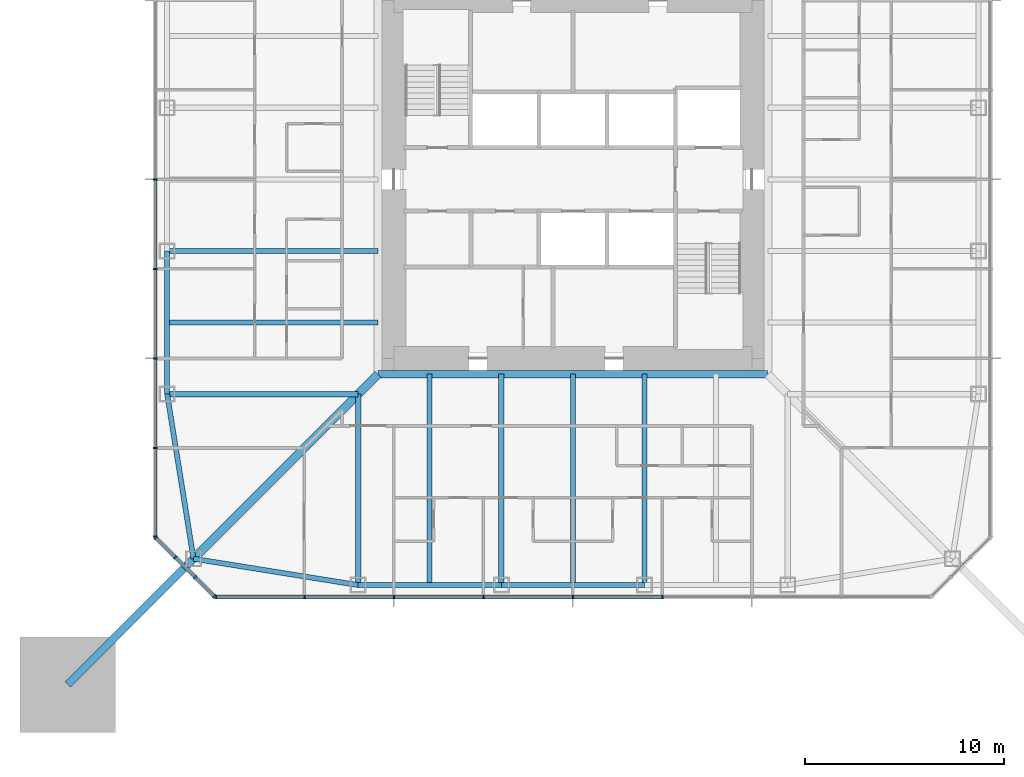
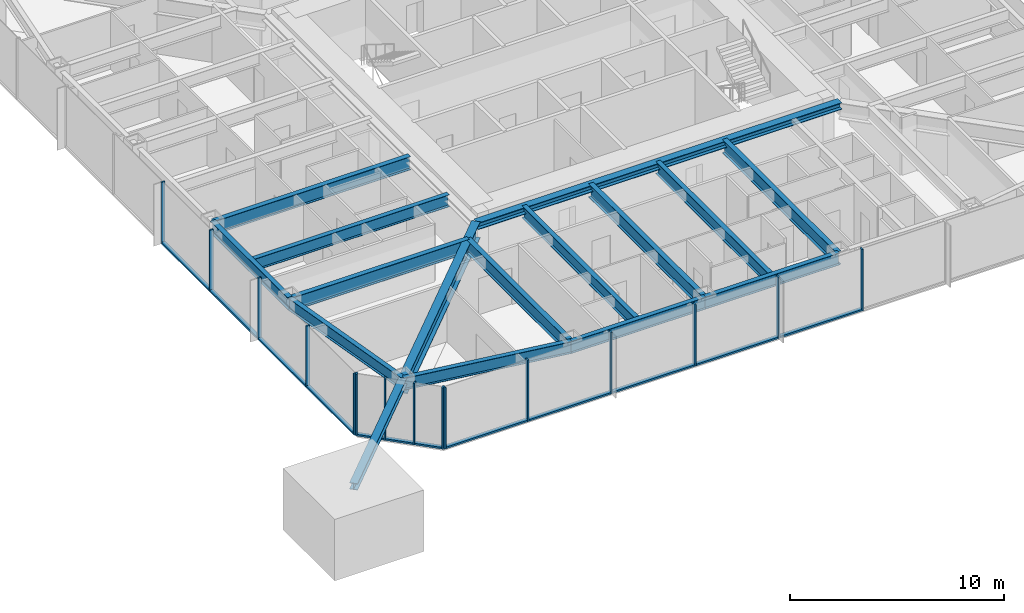
# One storey, part 3 of 25: 28 members, 15 beams, 3 elements without a shape of their own.
"""IFC4 building model written with IfcOpenShell, lengths in metres."""

from ifc_helpers import new_model, si_unit, direction, frame, origin, origin_2d, place, context, subcontext, project, spatial, rectangle, i_section, extrude, material, material_profile, profile_set, type_object, element, aggregate, save


model = new_model("IFC4")

# Units and contexts
model_context = context("Model", 3, precision=1e-05, world=origin(), true_north=direction((0.0, 1.0)))
body_context = subcontext(model_context, "Body", "Model", "MODEL_VIEW")
ifc_project = project(units=[si_unit("LENGTHUNIT", "METRE"), si_unit("AREAUNIT", "SQUARE_METRE"), si_unit("VOLUMEUNIT", "CUBIC_METRE"), si_unit("PLANEANGLEUNIT", "RADIAN"), si_unit("MASSUNIT", "GRAM", prefix="KILO")], contexts=[model_context])

# Site, building, storey
site_placement = place(None, origin())
site = spatial("IfcSite", under=ifc_project, at=site_placement, CompositionType="ELEMENT")
building_placement = place(site_placement, origin())
building = spatial("IfcBuilding", under=site, at=building_placement, Name="Iwan Alto Co-Living Towers", CompositionType="ELEMENT")
storey_placement = place(building_placement, frame((0.0, 0.0, 87.5)))
storey = spatial("IfcBuildingStorey", under=building, at=storey_placement, Name="L23", CompositionType="ELEMENT", Elevation=87.5)

# Curtain wall, members
ifc_material_1 = material(Name="Bronze aluminium unitised frame", Category="aluminium")
curtain_wall_type_1 = type_object("IfcCurtainWallType", Name="CURTAIN WALL CW-A", PredefinedType="NOTDEFINED", material=ifc_material_1)
curtain_wall_1_placement = place(storey_placement, origin())
curtain_wall_1 = element("IfcCurtainWall", 1, at=curtain_wall_1_placement, inside=storey, type_object=curtain_wall_type_1, Name="T1 curtain wall S L23", PredefinedType="NOTDEFINED")
ifc_material_2 = material(Name="Aluminium 6063-T6 bronze anodised", Category="aluminium")
ifc_material_profile_1 = material_profile(ifc_material_2, rectangle(XDim=0.199951171875, YDim=0.080078125, at=origin_2d()), Name="AL 80X200")
ifc_profile_set_1 = profile_set([ifc_material_profile_1], Name="Aluminium 6063-T6 bronze anodised")
member_type_1 = type_object("IfcMemberType", Name="CW-A MULLION 80X200", PredefinedType="MULLION", material=ifc_profile_set_1)
member_1_placement = place(storey_placement, frame((-17.9599609375, -21.0, 0.0), z_axis=(0.0, 0.0, 1.0), x_axis=(0.0, 1.0, 0.0)))
member_1 = element("IfcMember", 2, at=member_1_placement, type_object=member_type_1, Name="CW-A mullion 1", PredefinedType="MULLION", context=body_context, shape_type="SweptSolid", body=[
    extrude(rectangle(XDim=0.199951171875, YDim=0.080078125, at=origin_2d()), origin(), (0.0, 0.0, 1.0), 3.5),
])
member_2_placement = place(storey_placement, frame((-13.5, -21.0, 0.0), z_axis=(0.0, 0.0, 1.0), x_axis=(0.0, 1.0, 0.0)))
member_2 = element("IfcMember", 3, at=member_2_placement, type_object=member_type_1, Name="CW-A mullion 2", PredefinedType="MULLION", context=body_context, shape_type="SweptSolid", body=[
    extrude(rectangle(XDim=0.199951171875, YDim=0.080078125, at=origin_2d()), origin(), (0.0, 0.0, 1.0), 3.5),
])
member_3_placement = place(storey_placement, frame((-9.0, -21.0, 0.0), z_axis=(0.0, 0.0, 1.0), x_axis=(0.0, 1.0, 0.0)))
member_3 = element("IfcMember", 4, at=member_3_placement, type_object=member_type_1, Name="CW-A mullion 3", PredefinedType="MULLION", context=body_context, shape_type="SweptSolid", body=[
    extrude(rectangle(XDim=0.199951171875, YDim=0.080078125, at=origin_2d()), origin(), (0.0, 0.0, 1.0), 3.5),
])
member_4_placement = place(storey_placement, frame((-4.5, -21.0, 0.0), z_axis=(0.0, 0.0, 1.0), x_axis=(0.0, 1.0, 0.0)))
member_4 = element("IfcMember", 5, at=member_4_placement, type_object=member_type_1, Name="CW-A mullion 4", PredefinedType="MULLION", context=body_context, shape_type="SweptSolid", body=[
    extrude(rectangle(XDim=0.199951171875, YDim=0.080078125, at=origin_2d()), origin(), (0.0, 0.0, 1.0), 3.5),
])
member_5_placement = place(storey_placement, frame((0.0, -21.0, 0.0), z_axis=(0.0, 0.0, 1.0), x_axis=(0.0, 1.0, 0.0)))
member_5 = element("IfcMember", 6, at=member_5_placement, type_object=member_type_1, Name="CW-A mullion 5", PredefinedType="MULLION", context=body_context, shape_type="SweptSolid", body=[
    extrude(rectangle(XDim=0.199951171875, YDim=0.080078125, at=origin_2d()), origin(), (0.0, 0.0, 1.0), 3.5),
])
member_6_placement = place(storey_placement, frame((4.5, -21.0, 0.0), z_axis=(0.0, 0.0, 1.0), x_axis=(0.0, 1.0, 0.0)))
member_6 = element("IfcMember", 7, at=member_6_placement, type_object=member_type_1, Name="CW-A mullion 6", PredefinedType="MULLION", context=body_context, shape_type="SweptSolid", body=[
    extrude(rectangle(XDim=0.199951171875, YDim=0.080078125, at=origin_2d()), origin(), (0.0, 0.0, 1.0), 3.5),
])

curtain_wall_2_placement = place(storey_placement, origin())
curtain_wall_2 = element("IfcCurtainWall", 8, at=curtain_wall_2_placement, inside=storey, type_object=curtain_wall_type_1, Name="T1 curtain wall W L23", PredefinedType="NOTDEFINED")
member_7_placement = place(storey_placement, frame((-21.0, 0.0, 0.0), z_axis=(0.0, 0.0, 1.0), x_axis=(1.0, 0.0, 0.0)))
member_7 = element("IfcMember", 9, at=member_7_placement, type_object=member_type_1, Name="CW-A mullion 5", PredefinedType="MULLION", context=body_context, shape_type="SweptSolid", body=[
    extrude(rectangle(XDim=0.199951171875, YDim=0.080078125, at=origin_2d()), origin(), (0.0, 0.0, 1.0), 3.5),
])
member_8_placement = place(storey_placement, frame((-21.0, -4.5, 0.0), z_axis=(0.0, 0.0, 1.0), x_axis=(1.0, 0.0, 0.0)))
member_8 = element("IfcMember", 10, at=member_8_placement, type_object=member_type_1, Name="CW-A mullion 6", PredefinedType="MULLION", context=body_context, shape_type="SweptSolid", body=[
    extrude(rectangle(XDim=0.199951171875, YDim=0.080078125, at=origin_2d()), origin(), (0.0, 0.0, 1.0), 3.5),
])
member_9_placement = place(storey_placement, frame((-21.0, -9.0, 0.0), z_axis=(0.0, 0.0, 1.0), x_axis=(1.0, 0.0, 0.0)))
member_9 = element("IfcMember", 11, at=member_9_placement, type_object=member_type_1, Name="CW-A mullion 7", PredefinedType="MULLION", context=body_context, shape_type="SweptSolid", body=[
    extrude(rectangle(XDim=0.199951171875, YDim=0.080078125, at=origin_2d()), origin(), (0.0, 0.0, 1.0), 3.5),
])
member_10_placement = place(storey_placement, frame((-21.0, -13.5, 0.0), z_axis=(0.0, 0.0, 1.0), x_axis=(1.0, 0.0, 0.0)))
member_10 = element("IfcMember", 12, at=member_10_placement, type_object=member_type_1, Name="CW-A mullion 8", PredefinedType="MULLION", context=body_context, shape_type="SweptSolid", body=[
    extrude(rectangle(XDim=0.199951171875, YDim=0.080078125, at=origin_2d()), origin(), (0.0, 0.0, 1.0), 3.5),
])
member_11_placement = place(storey_placement, frame((-21.0, -17.9599609375, 0.0), z_axis=(0.0, 0.0, 1.0), x_axis=(1.0, 0.0, 0.0)))
member_11 = element("IfcMember", 13, at=member_11_placement, type_object=member_type_1, Name="CW-A mullion 9", PredefinedType="MULLION", context=body_context, shape_type="SweptSolid", body=[
    extrude(rectangle(XDim=0.199951171875, YDim=0.080078125, at=origin_2d()), origin(), (0.0, 0.0, 1.0), 3.5),
])

# Member
ifc_material_3 = material(Name="Aluminium 6063-T6 bronze anodised", Category="aluminium")
ifc_material_profile_2 = material_profile(ifc_material_3, rectangle(XDim=0.199951171875, YDim=0.10009765625, at=origin_2d()), Name="AL 200X100")
ifc_profile_set_2 = profile_set([ifc_material_profile_2], Name="Aluminium 6063-T6 bronze anodised")
member_type_2 = type_object("IfcMemberType", Name="CW-A TRANSOM 200X100", PredefinedType="USERDEFINED", material=ifc_profile_set_2)
member_12_placement = place(storey_placement, frame((-17.919921875, -21.0, 0.050048828125), z_axis=(1.0, 0.0, 0.0), x_axis=(0.0, 1.0, 0.0)))
member_12 = element("IfcMember", 14, at=member_12_placement, type_object=member_type_2, Name="CW-A transom 1.1", ObjectType="TRANSOM", PredefinedType="USERDEFINED", context=body_context, shape_type="SweptSolid", body=[
    extrude(rectangle(XDim=0.199951171875, YDim=0.10009765625, at=origin_2d()), origin(), (0.0, 0.0, 1.0), 4.3798828125),
])

member_13_placement = place(storey_placement, frame((-13.4599609375, -21.0, 0.050048828125), z_axis=(1.0, 0.0, 0.0), x_axis=(0.0, 1.0, 0.0)))
member_13 = element("IfcMember", 15, at=member_13_placement, type_object=member_type_2, Name="CW-A transom 2.1", ObjectType="TRANSOM", PredefinedType="USERDEFINED", context=body_context, shape_type="SweptSolid", body=[
    extrude(rectangle(XDim=0.199951171875, YDim=0.10009765625, at=origin_2d()), origin(), (0.0, 0.0, 1.0), 4.419921875),
])

member_14_placement = place(storey_placement, frame((-8.9599609375, -21.0, 0.050048828125), z_axis=(1.0, 0.0, 0.0), x_axis=(0.0, 1.0, 0.0)))
member_14 = element("IfcMember", 16, at=member_14_placement, type_object=member_type_2, Name="CW-A transom 3.1", ObjectType="TRANSOM", PredefinedType="USERDEFINED", context=body_context, shape_type="SweptSolid", body=[
    extrude(rectangle(XDim=0.199951171875, YDim=0.10009765625, at=origin_2d()), origin(), (0.0, 0.0, 1.0), 4.419921875),
])

member_15_placement = place(storey_placement, frame((-4.4599609375, -21.0, 0.050048828125), z_axis=(1.0, 0.0, 0.0), x_axis=(0.0, 1.0, 0.0)))
member_15 = element("IfcMember", 17, at=member_15_placement, type_object=member_type_2, Name="CW-A transom 4.1", ObjectType="TRANSOM", PredefinedType="USERDEFINED", context=body_context, shape_type="SweptSolid", body=[
    extrude(rectangle(XDim=0.199951171875, YDim=0.10009765625, at=origin_2d()), origin(), (0.0, 0.0, 1.0), 4.419921875),
])

member_16_placement = place(storey_placement, frame((0.0400390625, -21.0, 0.050048828125), z_axis=(1.0, 0.0, 0.0), x_axis=(0.0, 1.0, 0.0)))
member_16 = element("IfcMember", 18, at=member_16_placement, type_object=member_type_2, Name="CW-A transom 5.1", ObjectType="TRANSOM", PredefinedType="USERDEFINED", context=body_context, shape_type="SweptSolid", body=[
    extrude(rectangle(XDim=0.199951171875, YDim=0.10009765625, at=origin_2d()), origin(), (0.0, 0.0, 1.0), 4.419921875),
])

aggregate(curtain_wall_1, [member_1, member_2, member_3, member_4, member_5, member_6, member_12, member_13, member_14, member_15, member_16])

member_17_placement = place(storey_placement, frame((-21.0, -0.0400390625, 0.050048828125), z_axis=(0.0, -1.0, 0.0), x_axis=(1.0, 0.0, 0.0)))
member_17 = element("IfcMember", 19, at=member_17_placement, type_object=member_type_2, Name="CW-A transom 5.1", ObjectType="TRANSOM", PredefinedType="USERDEFINED", context=body_context, shape_type="SweptSolid", body=[
    extrude(rectangle(XDim=0.199951171875, YDim=0.10009765625, at=origin_2d()), origin(), (0.0, 0.0, 1.0), 4.419921875),
])

member_18_placement = place(storey_placement, frame((-21.0, -4.5400390625, 0.050048828125), z_axis=(0.0, -1.0, 0.0), x_axis=(1.0, 0.0, 0.0)))
member_18 = element("IfcMember", 20, at=member_18_placement, type_object=member_type_2, Name="CW-A transom 6.1", ObjectType="TRANSOM", PredefinedType="USERDEFINED", context=body_context, shape_type="SweptSolid", body=[
    extrude(rectangle(XDim=0.199951171875, YDim=0.10009765625, at=origin_2d()), origin(), (0.0, 0.0, 1.0), 4.419921875),
])

member_19_placement = place(storey_placement, frame((-21.0, -9.0400390625, 0.050048828125), z_axis=(0.0, -1.0, 0.0), x_axis=(1.0, 0.0, 0.0)))
member_19 = element("IfcMember", 21, at=member_19_placement, type_object=member_type_2, Name="CW-A transom 7.1", ObjectType="TRANSOM", PredefinedType="USERDEFINED", context=body_context, shape_type="SweptSolid", body=[
    extrude(rectangle(XDim=0.199951171875, YDim=0.10009765625, at=origin_2d()), origin(), (0.0, 0.0, 1.0), 4.419921875),
])

member_20_placement = place(storey_placement, frame((-21.0, -13.5400390625, 0.050048828125), z_axis=(0.0, -1.0, 0.0), x_axis=(1.0, 0.0, 0.0)))
member_20 = element("IfcMember", 22, at=member_20_placement, type_object=member_type_2, Name="CW-A transom 8.1", ObjectType="TRANSOM", PredefinedType="USERDEFINED", context=body_context, shape_type="SweptSolid", body=[
    extrude(rectangle(XDim=0.199951171875, YDim=0.10009765625, at=origin_2d()), origin(), (0.0, 0.0, 1.0), 4.3798828125),
])

aggregate(curtain_wall_2, [member_7, member_8, member_9, member_10, member_11, member_17, member_18, member_19, member_20])

# Curtain wall, members
ifc_material_4 = material(Name="Bronze aluminium unitised frame", Category="aluminium")
curtain_wall_type_2 = type_object("IfcCurtainWallType", Name="CURTAIN WALL CW-B", PredefinedType="NOTDEFINED", material=ifc_material_4)
curtain_wall_3_placement = place(storey_placement, origin())
curtain_wall_3 = element("IfcCurtainWall", 23, at=curtain_wall_3_placement, inside=storey, type_object=curtain_wall_type_2, Name="T1 chamfer curtain wall SW L23", PredefinedType="NOTDEFINED")
ifc_material_5 = material(Name="Aluminium 6063-T6 bronze anodised", Category="aluminium")
ifc_material_profile_3 = material_profile(ifc_material_5, rectangle(XDim=0.199951171875, YDim=0.080078125, at=origin_2d()), Name="AL 80X200")
ifc_profile_set_3 = profile_set([ifc_material_profile_3], Name="Aluminium 6063-T6 bronze anodised")
member_type_3 = type_object("IfcMemberType", Name="CW-B MULLION 80X200", PredefinedType="MULLION", material=ifc_profile_set_3)
member_21_placement = place(storey_placement, frame((-20.9716796875, -18.0283203125, 0.0), z_axis=(0.0, 0.0, 1.0), x_axis=(0.707106781187, 0.707106781187, 0.0)))
member_21 = element("IfcMember", 24, at=member_21_placement, type_object=member_type_3, Name="CW-B mullion 1", PredefinedType="MULLION", context=body_context, shape_type="SweptSolid", body=[
    extrude(rectangle(XDim=0.199951171875, YDim=0.080078125, at=origin_2d()), origin(), (0.0, 0.0, 1.0), 3.5),
])
member_22_placement = place(storey_placement, frame((-20.0, -19.0, 0.0), z_axis=(0.0, 0.0, 1.0), x_axis=(0.707106781187, 0.707106781187, 0.0)))
member_22 = element("IfcMember", 25, at=member_22_placement, type_object=member_type_3, Name="CW-B mullion 2", PredefinedType="MULLION", context=body_context, shape_type="SweptSolid", body=[
    extrude(rectangle(XDim=0.199951171875, YDim=0.080078125, at=origin_2d()), origin(), (0.0, 0.0, 1.0), 3.5),
])
member_23_placement = place(storey_placement, frame((-19.0, -20.0, 0.0), z_axis=(0.0, 0.0, 1.0), x_axis=(0.707106781187, 0.707106781187, 0.0)))
member_23 = element("IfcMember", 26, at=member_23_placement, type_object=member_type_3, Name="CW-B mullion 3", PredefinedType="MULLION", context=body_context, shape_type="SweptSolid", body=[
    extrude(rectangle(XDim=0.199951171875, YDim=0.080078125, at=origin_2d()), origin(), (0.0, 0.0, 1.0), 3.5),
])
member_24_placement = place(storey_placement, frame((-18.0283203125, -20.9716796875, 0.0), z_axis=(0.0, 0.0, 1.0), x_axis=(0.707106781187, 0.707106781187, 0.0)))
member_24 = element("IfcMember", 27, at=member_24_placement, type_object=member_type_3, Name="CW-B mullion 4", PredefinedType="MULLION", context=body_context, shape_type="SweptSolid", body=[
    extrude(rectangle(XDim=0.199951171875, YDim=0.080078125, at=origin_2d()), origin(), (0.0, 0.0, 1.0), 3.5),
])
ifc_material_6 = material(Name="Aluminium 6063-T6 bronze anodised", Category="aluminium")
ifc_material_profile_4 = material_profile(ifc_material_6, rectangle(XDim=0.199951171875, YDim=0.10009765625, at=origin_2d()), Name="AL 200X100")
ifc_profile_set_4 = profile_set([ifc_material_profile_4], Name="Aluminium 6063-T6 bronze anodised")
member_type_4 = type_object("IfcMemberType", Name="CW-B TRANSOM 200X100", PredefinedType="USERDEFINED", material=ifc_profile_set_4)
member_25_placement = place(storey_placement, frame((-20.943359375, -18.056640625, 0.050048828125), z_axis=(0.707106781187, -0.707106781187, 0.0), x_axis=(0.707106781187, 0.707106781187, 0.0)))
member_25 = element("IfcMember", 28, at=member_25_placement, type_object=member_type_4, Name="CW-B transom 1.1", ObjectType="TRANSOM", PredefinedType="USERDEFINED", context=body_context, shape_type="SweptSolid", body=[
    extrude(rectangle(XDim=0.199951171875, YDim=0.10009765625, at=origin_2d()), origin(), (0.0, 0.0, 1.0), 1.2939453125),
])
member_26_placement = place(storey_placement, frame((-19.9716796875, -19.0283203125, 0.050048828125), z_axis=(0.707106781187, -0.707106781187, 0.0), x_axis=(0.707106781187, 0.707106781187, 0.0)))
member_26 = element("IfcMember", 29, at=member_26_placement, type_object=member_type_4, Name="CW-B transom 2.1", ObjectType="TRANSOM", PredefinedType="USERDEFINED", context=body_context, shape_type="SweptSolid", body=[
    extrude(rectangle(XDim=0.199951171875, YDim=0.10009765625, at=origin_2d()), origin(), (0.0, 0.0, 1.0), 1.334228515625),
])
member_27_placement = place(storey_placement, frame((-18.9716796875, -20.0283203125, 0.050048828125), z_axis=(0.707106781187, -0.707106781187, 0.0), x_axis=(0.707106781187, 0.707106781187, 0.0)))
member_27 = element("IfcMember", 30, at=member_27_placement, type_object=member_type_4, Name="CW-B transom 3.1", ObjectType="TRANSOM", PredefinedType="USERDEFINED", context=body_context, shape_type="SweptSolid", body=[
    extrude(rectangle(XDim=0.199951171875, YDim=0.10009765625, at=origin_2d()), origin(), (0.0, 0.0, 1.0), 1.2939453125),
])
aggregate(curtain_wall_3, [member_21, member_22, member_23, member_24, member_25, member_26, member_27])

# Beams
ifc_material_7 = material(Name="Steel ASTM A992 Gr 50", Category="steel")
ifc_material_profile_5 = material_profile(ifc_material_7, i_section(OverallWidth=0.398681640625, OverallDepth=0.385986328125, WebThickness=0.02099609375, FlangeThickness=0.033203125, at=origin_2d()), Name="W14X176")
ifc_profile_set_5 = profile_set([ifc_material_profile_5], Name="Steel ASTM A992 Gr 50")
beam_type_1 = type_object("IfcBeamType", Name="T1 CORE LEDGER BEAM W14X176", PredefinedType="BEAM", material=ifc_profile_set_5)
beam_1_placement = place(storey_placement, frame((-9.79931640625, -9.79931640625, 3.076904296875), z_axis=(1.0, 0.0, 0.0), x_axis=(0.0, 1.0, 0.0)))
element("IfcBeam", 31, at=beam_1_placement, inside=storey, type_object=beam_type_1, Name="T1 core ledger beam S L24", PredefinedType="BEAM", context=body_context, shape_type="SweptSolid", body=[
    extrude(i_section(OverallWidth=0.398681640625, OverallDepth=0.385986328125, WebThickness=0.02099609375, FlangeThickness=0.033203125, at=origin_2d()), origin(), (0.0, 0.0, 1.0), 19.5986328125),
])
ifc_material_8 = material(Name="Steel ASTM A992 Gr 50", Category="steel")
ifc_material_profile_6 = material_profile(ifc_material_8, i_section(OverallWidth=0.419189453125, OverallDepth=0.927001953125, WebThickness=0.019287109375, FlangeThickness=0.031982421875, at=origin_2d()), Name="W36X231")
ifc_profile_set_6 = profile_set([ifc_material_profile_6], Name="Steel ASTM A992 Gr 50")
beam_type_2 = type_object("IfcBeamType", Name="T1 CORNER GIRDER W36X231", PredefinedType="BEAM", material=ifc_profile_set_6)
beam_2_placement = place(storey_placement, frame((-19.07568359375, -19.07568359375, 2.806396484375), z_axis=(0.707106781187, 0.707106781187, 0.0), x_axis=(-0.707106781187, 0.707106781187, 0.0)))
element("IfcBeam", 32, at=beam_2_placement, inside=storey, type_object=beam_type_2, Name="T1 corner girder CSW L24", PredefinedType="BEAM", context=body_context, shape_type="SweptSolid", body=[
    extrude(i_section(OverallWidth=0.419189453125, OverallDepth=0.927001953125, WebThickness=0.019287109375, FlangeThickness=0.031982421875, at=origin_2d()), origin(), (0.0, 0.0, 1.0), 13.11865234375),
])
ifc_material_9 = material(Name="Steel ASTM A992 Gr 50", Category="steel")
ifc_material_profile_7 = material_profile(ifc_material_9, i_section(OverallWidth=0.25390625, OverallDepth=0.683349609375, WebThickness=0.012451171875, FlangeThickness=0.018798828125, at=origin_2d()), Name="W27X94")
ifc_profile_set_7 = profile_set([ifc_material_profile_7], Name="Steel ASTM A992 Gr 50")
beam_type_3 = type_object("IfcBeamType", Name="T1 EDGE BEAM W27X94", PredefinedType="BEAM", material=ifc_profile_set_7)
beam_3_placement = place(storey_placement, frame((-19.07568359375, -19.07568359375, 2.928466796875), z_axis=(0.987438450439, -0.158004134737, 0.0), x_axis=(0.158004134737, 0.987438450439, 0.0)))
element("IfcBeam", 33, at=beam_3_placement, inside=storey, type_object=beam_type_3, Name="T1 edge beam CSW L24", PredefinedType="BEAM", context=body_context, shape_type="SweptSolid", body=[
    extrude(i_section(OverallWidth=0.25390625, OverallDepth=0.683349609375, WebThickness=0.012451171875, FlangeThickness=0.018798828125, at=origin_2d()), origin(), (0.0, 0.0, 1.0), 8.380859375),
])
beam_4_placement = place(storey_placement, frame((-10.800048828125, -20.39990234375, 2.928466796875), z_axis=(1.0, 0.0, 0.0), x_axis=(0.0, 1.0, 0.0)))
element("IfcBeam", 34, at=beam_4_placement, inside=storey, type_object=beam_type_3, Name="T1 edge beam S1 L24", PredefinedType="BEAM", context=body_context, shape_type="SweptSolid", body=[
    extrude(i_section(OverallWidth=0.25390625, OverallDepth=0.683349609375, WebThickness=0.012451171875, FlangeThickness=0.018798828125, at=origin_2d()), origin(), (0.0, 0.0, 1.0), 7.199951171875),
])
beam_5_placement = place(storey_placement, frame((-3.60009765625, -20.39990234375, 2.928466796875), z_axis=(1.0, 0.0, 0.0), x_axis=(0.0, 1.0, 0.0)))
element("IfcBeam", 35, at=beam_5_placement, inside=storey, type_object=beam_type_3, Name="T1 edge beam S2 L24", PredefinedType="BEAM", context=body_context, shape_type="SweptSolid", body=[
    extrude(i_section(OverallWidth=0.25390625, OverallDepth=0.683349609375, WebThickness=0.012451171875, FlangeThickness=0.018798828125, at=origin_2d()), origin(), (0.0, 0.0, 1.0), 7.2001953125),
])
beam_6_placement = place(storey_placement, frame((-20.39990234375, -3.60009765625, 2.928466796875), z_axis=(0.0, -1.0, 0.0), x_axis=(1.0, 0.0, 0.0)))
element("IfcBeam", 36, at=beam_6_placement, inside=storey, type_object=beam_type_3, Name="T1 edge beam W3 L24", PredefinedType="BEAM", context=body_context, shape_type="SweptSolid", body=[
    extrude(i_section(OverallWidth=0.25390625, OverallDepth=0.683349609375, WebThickness=0.012451171875, FlangeThickness=0.018798828125, at=origin_2d()), origin(), (0.0, 0.0, 1.0), 7.199951171875),
])
beam_7_placement = place(storey_placement, frame((-20.39990234375, -10.800048828125, 2.928466796875), z_axis=(0.158004134737, -0.987438450439, 0.0), x_axis=(0.987438450439, 0.158004134737, 0.0)))
element("IfcBeam", 37, at=beam_7_placement, inside=storey, type_object=beam_type_3, Name="T1 edge beam W4 L24", PredefinedType="BEAM", context=body_context, shape_type="SweptSolid", body=[
    extrude(i_section(OverallWidth=0.25390625, OverallDepth=0.683349609375, WebThickness=0.012451171875, FlangeThickness=0.018798828125, at=origin_2d()), origin(), (0.0, 0.0, 1.0), 8.380859375),
])

# Member
ifc_material_10 = material(Name="Steel ASTM A992 Gr 50", Category="steel")
ifc_material_profile_8 = material_profile(ifc_material_10, i_section(OverallWidth=0.393798828125, OverallDepth=0.3759765625, WebThickness=0.017333984375, FlangeThickness=0.027587890625, at=origin_2d()), Name="W14X145")
ifc_profile_set_8 = profile_set([ifc_material_profile_8], Name="Steel ASTM A992 Gr 50")
member_type_5 = type_object("IfcMemberType", Name="T1 MEGA COLUMN FLOOR TIE W14X145", PredefinedType="STRUT", material=ifc_profile_set_8)
member_28_placement = place(storey_placement, frame((-25.39990234375, -25.39990234375, 3.08203125), z_axis=(0.707106781187, 0.707106781187, 0.0), x_axis=(-0.707106781187, 0.707106781187, 0.0)))
element("IfcMember", 38, at=member_28_placement, inside=storey, type_object=member_type_5, Name="T1 mega column floor tie SW L24", PredefinedType="STRUT", context=body_context, shape_type="SweptSolid", body=[
    extrude(i_section(OverallWidth=0.393798828125, OverallDepth=0.3759765625, WebThickness=0.017333984375, FlangeThickness=0.027587890625, at=origin_2d()), origin(), (0.0, 0.0, 1.0), 8.94384765625),
])

# Beams
ifc_material_11 = material(Name="Steel ASTM A992 Gr 50", Category="steel")
ifc_material_profile_9 = material_profile(ifc_material_11, i_section(OverallWidth=0.2666015625, OverallDepth=0.761962890625, WebThickness=0.014404296875, FlangeThickness=0.021484375, at=origin_2d()), Name="W30X116")
ifc_profile_set_9 = profile_set([ifc_material_profile_9], Name="Steel ASTM A992 Gr 50")
beam_type_4 = type_object("IfcBeamType", Name="T1 RADIAL BEAM W30X116", PredefinedType="BEAM", material=ifc_profile_set_9)
beam_8_placement = place(storey_placement, frame((-10.800048828125, -20.39990234375, 2.888916015625), z_axis=(0.0, 1.0, 0.0), x_axis=(-1.0, 0.0, 0.0)))
element("IfcBeam", 39, at=beam_8_placement, inside=storey, type_object=beam_type_4, Name="T1 radial beam S1 L24", PredefinedType="BEAM", context=body_context, shape_type="SweptSolid", body=[
    extrude(i_section(OverallWidth=0.2666015625, OverallDepth=0.761962890625, WebThickness=0.014404296875, FlangeThickness=0.021484375, at=origin_2d()), origin(), (0.0, 0.0, 1.0), 9.599853515625),
])
for number, where, z_axis, x_axis, name in (
    (40, (-3.60009765625, -20.39990234375, 2.888916015625), (0.0, 1.0, 0.0), (-1.0, 0.0, 0.0), "T1 radial beam S2 L24"),
    (41, (3.60009765625, -20.39990234375, 2.888916015625), (0.0, 1.0, 0.0), (-1.0, 0.0, 0.0), "T1 radial beam S3 L24"),
    (42, (-20.39990234375, -3.60009765625, 2.888916015625), (1.0, 0.0, 0.0), (0.0, 1.0, 0.0), "T1 radial beam W3 L24"),
):
    element("IfcBeam", number, at=place(storey_placement, frame(where, z_axis=z_axis, x_axis=x_axis)), inside=storey, type_object=beam_type_4, Name=name, PredefinedType="BEAM", context=body_context, shape_type="SweptSolid", body=[
        extrude(i_section(OverallWidth=0.2666015625, OverallDepth=0.761962890625, WebThickness=0.014404296875, FlangeThickness=0.021484375, at=origin_2d()), origin(), (0.0, 0.0, 1.0), 10.6005859375),
    ])
beam_9_placement = place(storey_placement, frame((-20.39990234375, -10.800048828125, 2.888916015625), z_axis=(1.0, 0.0, 0.0), x_axis=(0.0, 1.0, 0.0)))
element("IfcBeam", 43, at=beam_9_placement, inside=storey, type_object=beam_type_4, Name="T1 radial beam W4 L24", PredefinedType="BEAM", context=body_context, shape_type="SweptSolid", body=[
    extrude(i_section(OverallWidth=0.2666015625, OverallDepth=0.761962890625, WebThickness=0.014404296875, FlangeThickness=0.021484375, at=origin_2d()), origin(), (0.0, 0.0, 1.0), 9.599853515625),
])
ifc_material_12 = material(Name="Steel ASTM A992 Gr 50", Category="steel")
ifc_material_profile_10 = material_profile(ifc_material_12, i_section(OverallWidth=0.25390625, OverallDepth=0.683349609375, WebThickness=0.012451171875, FlangeThickness=0.018798828125, at=origin_2d()), Name="W27X94")
ifc_profile_set_10 = profile_set([ifc_material_profile_10], Name="Steel ASTM A992 Gr 50")
beam_type_5 = type_object("IfcBeamType", Name="T1 SECONDARY BEAM W27X94", PredefinedType="JOIST", material=ifc_profile_set_10)
for number, where, z_axis, x_axis, name in (
    (44, (-7.199951171875, -20.39990234375, 2.928466796875), (0.0, 1.0, 0.0), (-1.0, 0.0, 0.0), "T1 secondary beam S1 L24"),
    (45, (0.0, -20.39990234375, 2.928466796875), (0.0, 1.0, 0.0), (-1.0, 0.0, 0.0), "T1 secondary beam S2 L24"),
    (46, (-20.39990234375, -7.199951171875, 2.928466796875), (1.0, 0.0, 0.0), (0.0, 1.0, 0.0), "T1 secondary beam W3 L24"),
):
    element("IfcBeam", number, at=place(storey_placement, frame(where, z_axis=z_axis, x_axis=x_axis)), inside=storey, type_object=beam_type_5, Name=name, PredefinedType="JOIST", context=body_context, shape_type="SweptSolid", body=[
        extrude(i_section(OverallWidth=0.25390625, OverallDepth=0.683349609375, WebThickness=0.012451171875, FlangeThickness=0.018798828125, at=origin_2d()), origin(), (0.0, 0.0, 1.0), 10.6005859375),
    ])

save(model, "model.ifc")
